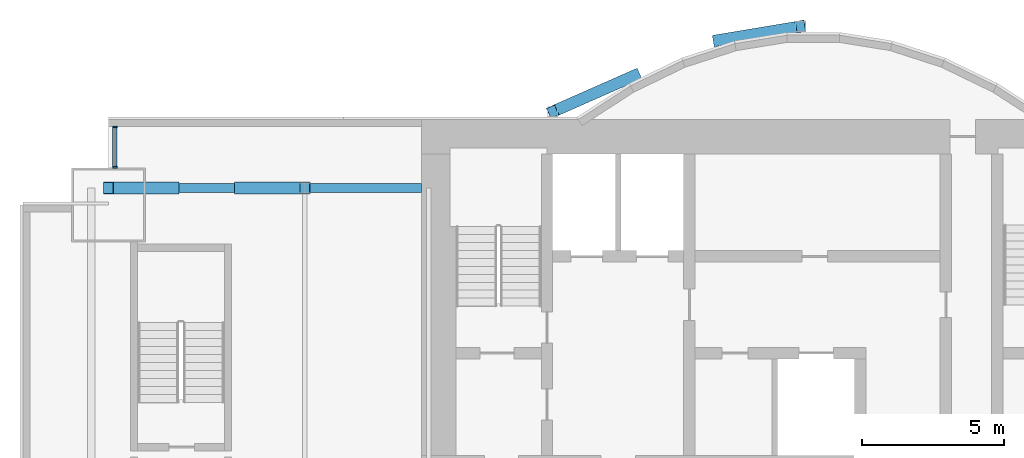
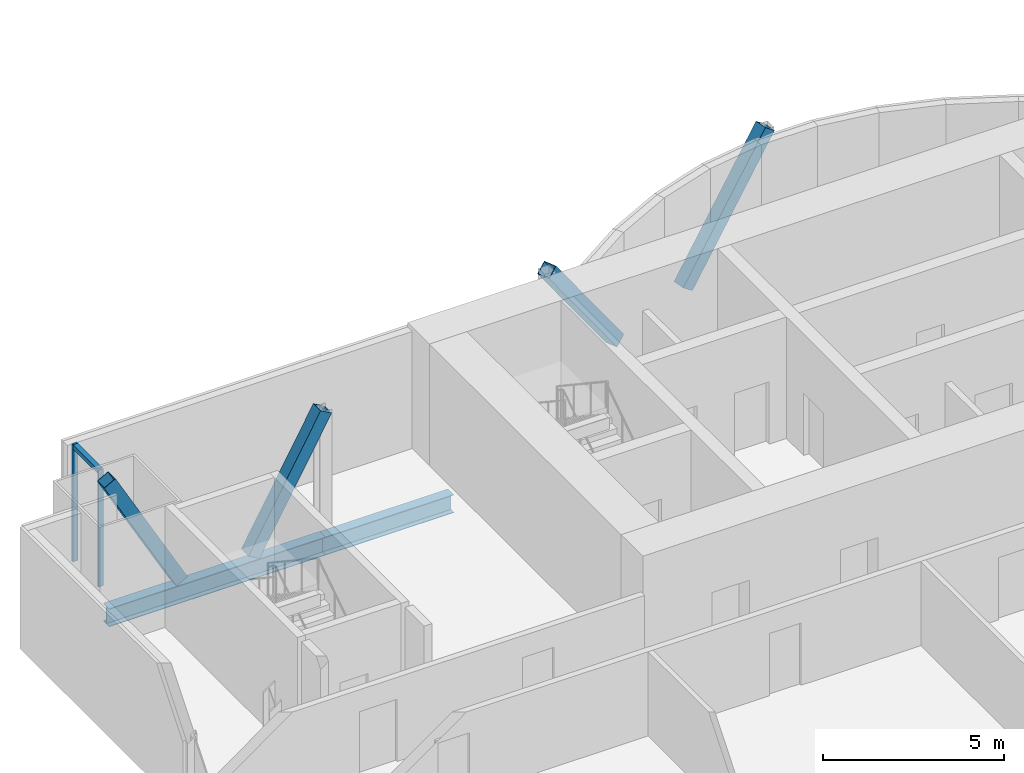
# One storey, part 10 of 20: 7 members, 2 beams, 1 element without a shape of its own.
"""IFC4 building model written with IfcOpenShell, lengths in metres."""

from ifc_helpers import new_model, si_unit, direction, frame, origin, origin_2d, place, context, subcontext, project, spatial, rectangle, hollow_rectangle, i_section, extrude, material, material_profile, profile_set, type_object, element, aggregate, save


model = new_model("IFC4")

# Units and contexts
model_context = context("Model", 3, precision=1e-05, world=origin(), true_north=direction((0.0, 1.0)))
body_context = subcontext(model_context, "Body", "Model", "MODEL_VIEW")
ifc_project = project(units=[si_unit("LENGTHUNIT", "METRE"), si_unit("AREAUNIT", "SQUARE_METRE"), si_unit("VOLUMEUNIT", "CUBIC_METRE"), si_unit("PLANEANGLEUNIT", "RADIAN"), si_unit("MASSUNIT", "GRAM", prefix="KILO")], contexts=[model_context])

# Site, building, storey
site_placement = place(None, origin())
site = spatial("IfcSite", under=ifc_project, at=site_placement, CompositionType="ELEMENT")
building_placement = place(site_placement, origin())
building = spatial("IfcBuilding", under=site, at=building_placement, Name="Bicima Exchange Tower", CompositionType="ELEMENT")
storey_placement = place(building_placement, frame((0.0, 0.0, 199.10009765625)))
storey = spatial("IfcBuildingStorey", under=building, at=storey_placement, Name="L44", CompositionType="ELEMENT", Elevation=199.10009765625)

# Curtain wall, members
ifc_material_1 = material(Name="Anodised bronze aluminium", Category="aluminium")
curtain_wall_type = type_object("IfcCurtainWallType", Name="Front glass wall", PredefinedType="NOTDEFINED", material=ifc_material_1)
curtain_wall_placement = place(storey_placement, origin())
curtain_wall = element("IfcCurtainWall", 1, at=curtain_wall_placement, inside=storey, type_object=curtain_wall_type, Name="Front glass wall L44 run 1", PredefinedType="NOTDEFINED")
ifc_material_profile_1 = material_profile(ifc_material_1, rectangle(XDim=0.159912109375, YDim=0.06005859375, at=origin_2d()))
ifc_profile_set_1 = profile_set([ifc_material_profile_1], Name="Anodised bronze aluminium")
member_type_1 = type_object("IfcMemberType", Name="Front glass wall mullion 60 x 160", PredefinedType="MULLION", material=ifc_profile_set_1)
member_1_placement = place(storey_placement, frame((-32.77001953125, -0.260009765625, 0.0), z_axis=(0.0, 0.0, 1.0), x_axis=(1.0, 0.0, 0.0)))
member_1 = element("IfcMember", 2, at=member_1_placement, type_object=member_type_1, Name="Front glass wall mullion 1", PredefinedType="MULLION", context=body_context, shape_type="SweptSolid", body=[
    extrude(rectangle(XDim=0.159912109375, YDim=0.06005859375, at=origin_2d()), origin(), (0.0, 0.0, 1.0), 3.949951171875),
])
member_2_placement = place(storey_placement, frame((-32.77001953125, -1.669921875, 0.0), z_axis=(0.0, 0.0, 1.0), x_axis=(1.0, 0.0, 0.0)))
member_2 = element("IfcMember", 3, at=member_2_placement, type_object=member_type_1, Name="Front glass wall mullion 2", PredefinedType="MULLION", context=body_context, shape_type="SweptSolid", body=[
    extrude(rectangle(XDim=0.159912109375, YDim=0.06005859375, at=origin_2d()), origin(), (0.0, 0.0, 1.0), 3.949951171875),
])
ifc_material_profile_2 = material_profile(ifc_material_1, rectangle(XDim=0.159912109375, YDim=0.139892578125, at=origin_2d()))
ifc_profile_set_2 = profile_set([ifc_material_profile_2], Name="Anodised bronze aluminium")
member_type_2 = type_object("IfcMemberType", Name="Front glass wall transom 140 x 160", PredefinedType="USERDEFINED", material=ifc_profile_set_2)
member_3_placement = place(storey_placement, frame((-32.77001953125, -0.2900390625, 3.8798828125), z_axis=(0.0, -1.0, 0.0), x_axis=(1.0, 0.0, 0.0)))
member_3 = element("IfcMember", 4, at=member_3_placement, type_object=member_type_2, Name="Front glass wall transom 1.1", ObjectType="TRANSOM", PredefinedType="USERDEFINED", context=body_context, shape_type="SweptSolid", body=[
    extrude(rectangle(XDim=0.159912109375, YDim=0.139892578125, at=origin_2d()), origin(), (0.0, 0.0, 1.0), 1.349853515625),
])
aggregate(curtain_wall, [member_1, member_2, member_3])

# Members
ifc_material_2 = material(Name="Steel ASTM A572 Gr 50", Category="steel")
ifc_material_profile_3 = material_profile(ifc_material_2, hollow_rectangle(XDim=0.406494140625, YDim=0.406494140625, WallThickness=0.0146484375, at=origin_2d()))
ifc_profile_set_3 = profile_set([ifc_material_profile_3], Name="Steel ASTM A572 Gr 50")
member_type_3 = type_object("IfcMemberType", Name="Mega brace HSS16x16x5/8", PredefinedType="BRACE", material=ifc_profile_set_3)
member_4_placement = place(storey_placement, frame((-11.60009765625, 2.783203125, 0.0), z_axis=(0.57481422557, 0.09629432687, 0.812598307096), x_axis=(-0.165220206918, 0.9862567025, 0.0)))
element("IfcMember", 5, at=member_4_placement, inside=storey, type_object=member_type_3, Name="Mega brace rexo", PredefinedType="BRACE", context=body_context, shape_type="SweptSolid", body=[
    extrude(hollow_rectangle(XDim=0.406494140625, YDim=0.406494140625, WallThickness=0.0146484375, at=origin_2d()), origin(), (0.0, 0.0, 1.0), 5.04541015625),
])
member_5_placement = place(storey_placement, frame((-14.5, 1.55615234375, 0.0), z_axis=(-0.559625363617, -0.246644113364, 0.79119285496), x_axis=(0.403298774981, -0.915068357063, 0.0)))
element("IfcMember", 6, at=member_5_placement, inside=storey, type_object=member_type_3, Name="Mega brace rexo", PredefinedType="BRACE", context=body_context, shape_type="SweptSolid", body=[
    extrude(hollow_rectangle(XDim=0.406494140625, YDim=0.406494140625, WallThickness=0.0146484375, at=origin_2d()), origin(), (0.0, 0.0, 1.0), 5.181884765625),
])
for number, where, z_axis, x_axis, name in (
    (7, (-28.39990234375, -2.39990234375, 0.0), (0.48923266749, 0.0, 0.872153310526), (0.0, 1.0, 0.0), "Mega brace rear"),
    (8, (-30.699951171875, -2.39990234375, 0.0), (-0.489272170815, 0.0, 0.872131150037), (0.0, -1.0, 0.0), "Mega brace rear"),
):
    element("IfcMember", number, at=place(storey_placement, frame(where, z_axis=z_axis, x_axis=x_axis)), inside=storey, type_object=member_type_3, Name=name, PredefinedType="BRACE", context=body_context, shape_type="SweptSolid", body=[
        extrude(hollow_rectangle(XDim=0.406494140625, YDim=0.406494140625, WallThickness=0.0146484375, at=origin_2d()), origin(), (0.0, 0.0, 1.0), 4.700927734375),
    ])

# Beams
ifc_material_3 = material(Name="Steel ASTM A992 Gr 50", Category="steel")
ifc_material_profile_4 = material_profile(ifc_material_3, i_section(OverallWidth=0.3251953125, OverallDepth=0.612060546875, WebThickness=0.0126953125, FlangeThickness=0.01904296875, at=origin_2d()))
ifc_profile_set_4 = profile_set([ifc_material_profile_4], Name="Steel ASTM A992 Gr 50")
beam_type = type_object("IfcBeamType", Name="Rear girder W24x104", PredefinedType="BEAM", material=ifc_profile_set_4)
beam_1_placement = place(storey_placement, frame((-22.0, -2.39990234375, -0.456298828125), z_axis=(-1.0, 0.0, 0.0), x_axis=(0.0, -1.0, 0.0)))
element("IfcBeam", 9, at=beam_1_placement, inside=storey, type_object=beam_type, Name="Rear girder", PredefinedType="BEAM", context=body_context, shape_type="SweptSolid", body=[
    extrude(i_section(OverallWidth=0.3251953125, OverallDepth=0.612060546875, WebThickness=0.0126953125, FlangeThickness=0.01904296875, at=origin_2d()), origin(), (0.0, 0.0, 1.0), 4.10009765625),
])
beam_2_placement = place(storey_placement, frame((-26.10009765625, -2.39990234375, -0.456298828125), z_axis=(-1.0, 0.0, 0.0), x_axis=(0.0, -1.0, 0.0)))
element("IfcBeam", 10, at=beam_2_placement, inside=storey, type_object=beam_type, Name="Rear girder", PredefinedType="BEAM", context=body_context, shape_type="SweptSolid", body=[
    extrude(i_section(OverallWidth=0.3251953125, OverallDepth=0.612060546875, WebThickness=0.0126953125, FlangeThickness=0.01904296875, at=origin_2d()), origin(), (0.0, 0.0, 1.0), 6.89990234375),
])

save(model, "model.ifc")
